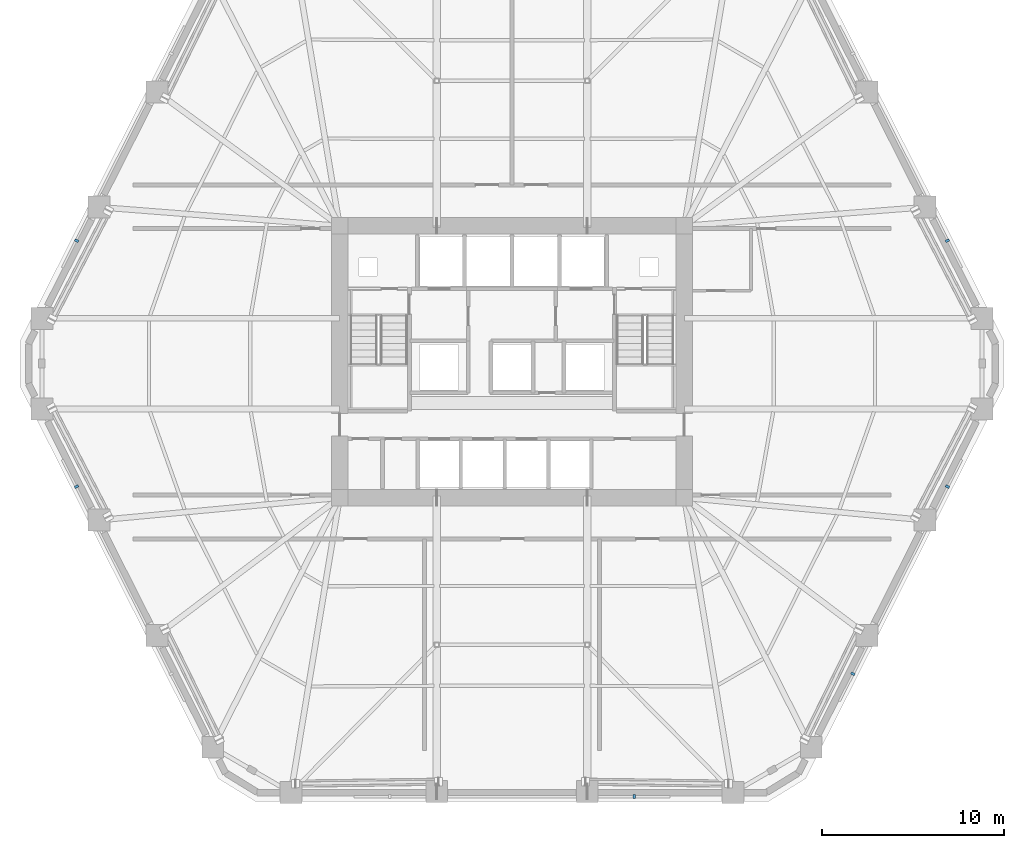
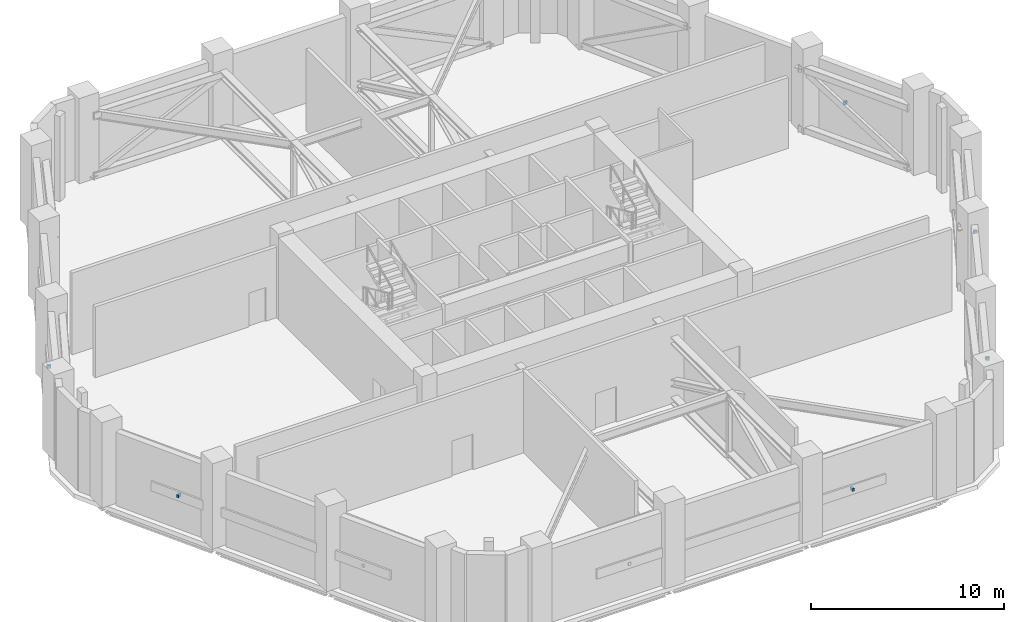
# One storey, part 14 of 19: 6 discrete accessories.
"""IFC4 building model written with IfcOpenShell, lengths in metres."""

from ifc_helpers import new_model, si_unit, direction, frame, origin, origin_2d, place, context, subcontext, project, spatial, rectangle, extrude, material, type_object, element, save


model = new_model("IFC4")

# Units and contexts
model_context = context("Model", 3, precision=1e-05, world=origin(), true_north=direction((0.0, 1.0)))
body_context = subcontext(model_context, "Body", "Model", "MODEL_VIEW")
ifc_project = project(units=[si_unit("LENGTHUNIT", "METRE"), si_unit("AREAUNIT", "SQUARE_METRE"), si_unit("VOLUMEUNIT", "CUBIC_METRE"), si_unit("PLANEANGLEUNIT", "RADIAN"), si_unit("MASSUNIT", "GRAM", prefix="KILO")], contexts=[model_context])

# Site, building, storey
site_placement = place(None, origin())
site = spatial("IfcSite", under=ifc_project, at=site_placement, CompositionType="ELEMENT")
building_placement = place(site_placement, origin())
building = spatial("IfcBuilding", under=site, at=building_placement, Name="Cinnabar Lancet Tower", CompositionType="ELEMENT")
storey_placement = place(building_placement, frame((0.0, 0.0, 74.60009765625)))
storey = spatial("IfcBuildingStorey", under=building, at=storey_placement, Name="L19", CompositionType="ELEMENT", Elevation=74.60009765625)

# Discrete accessories
ifc_material = material(Name="Stainless steel 316 facade fixing bracket", Category="steel")
discrete_accessory_type = type_object("IfcDiscreteAccessoryType", Name="ENV-ACC-BRK-180", PredefinedType="BRACKET", material=ifc_material)
for number, where, z_axis, x_axis, name in (
    (1, (39.10498046875, 2.0849609375, 2.06005859375), (0.0, 0.0, 1.0), (1.0, 0.0, 0.0), "L19 Face 1 Louvre Fixing Bracket B"),
    (2, (51.080078125, 8.802978515625, 2.06005859375), (0.0, 0.0, 1.0), (0.451469426816, 0.892286588855, 0.0), "L19 Face 2 Louvre Fixing Bracket A"),
    (3, (56.26904296875, 19.06005859375, 2.06005859375), (0.0, 0.0, 1.0), (0.451469426816, 0.892286588855, 0.0), "L19 Face 2 Louvre Fixing Bracket B"),
    (4, (56.26904296875, 32.5400390625, 2.06005859375), (0.0, 0.0, 1.0), (-0.451469426816, 0.892286588855, 0.0), "L19 Face 3 Louvre Fixing Bracket A"),
    (5, (8.531005859375, 32.5400390625, 2.06005859375), (0.0, 0.0, 1.0), (-0.451469426816, -0.892286588855, 0.0), "L19 Face 5 Louvre Fixing Bracket B"),
    (6, (8.531005859375, 19.06005859375, 2.06005859375), (0.0, 0.0, 1.0), (0.451469426816, -0.892286588855, 0.0), "L19 Face 6 Louvre Fixing Bracket A"),
):
    element("IfcDiscreteAccessory", number, at=place(storey_placement, frame(where, z_axis=z_axis, x_axis=x_axis)), inside=storey, type_object=discrete_accessory_type, Name=name, PredefinedType="BRACKET", context=body_context, shape_type="SweptSolid", body=[
        extrude(rectangle(XDim=0.139892578125, YDim=0.219970703125, at=origin_2d()), origin(), (0.0, 0.0, 1.0), 0.179931640625),
    ])

save(model, "model.ifc")
